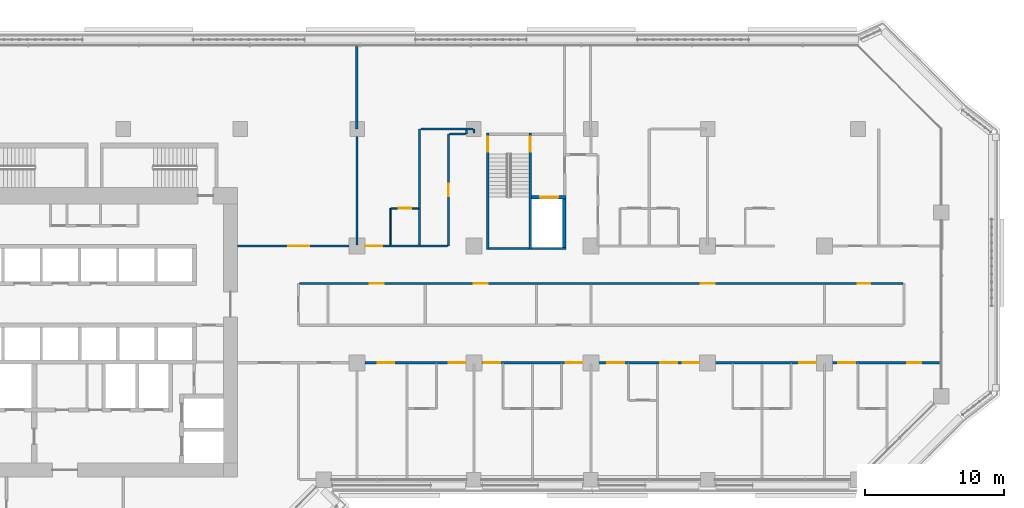
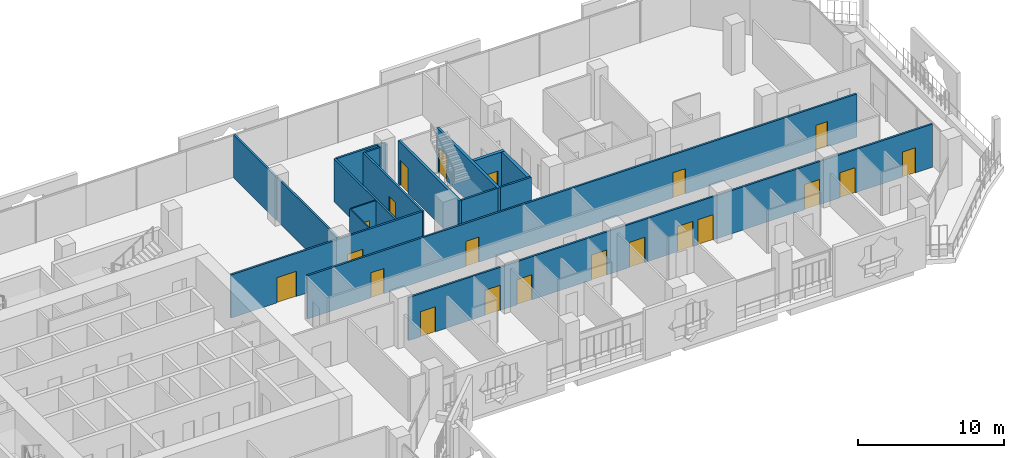
# One storey, part 16 of 25: 21 doors, 19 walls, 21 openings.
"""IFC4 building model written with IfcOpenShell, lengths in metres."""

import ifcopenshell
import ifcopenshell.guid

model = None  # the IFC model being written
_history = None  # IfcOwnerHistory: only IFC2X3 demands one
_inside = {}  # id of a spatial element -> (the spatial element, [elements in it])
_under = {}  # id of a project, library or spatial element -> (it, [spatial elements below it])
_declared = {}  # id of a project -> (the project, [libraries it declares])
_typed = {}  # id of a type object -> (the type object, [elements of that type])
_made_of = {}  # id of a material, layer set ... -> (it, [elements and type objects made of it])


def new_model(schema):
    """Start an empty IFC model of exactly this schema.

    Asked for "IFC4X3", IfcOpenShell would pick the latest addendum, in which some entities
    have other attributes; the version numbers below select the first issue.
    IFC2X3 requires an IfcOwnerHistory on every rooted entity: one is made here for all.
    """
    global model, _history
    if schema == "IFC4X3":
        model = ifcopenshell.file(schema_version=(4, 3, 0, 0))
    else:
        model = ifcopenshell.file(schema=schema)
    _inside.clear()
    _under.clear()
    _declared.clear()
    _typed.clear()
    _made_of.clear()
    _history = None
    if model.schema == "IFC2X3":
        org = make("IfcOrganization", Name="unknown")
        user = make(
            "IfcPersonAndOrganization",
            ThePerson=make("IfcPerson", FamilyName="unknown"),
            TheOrganization=org,
        )
        app = make(
            "IfcApplication",
            ApplicationDeveloper=org,
            Version="unknown",
            ApplicationFullName="unknown",
            ApplicationIdentifier="unknown",
        )
        _history = make(
            "IfcOwnerHistory",
            OwningUser=user,
            OwningApplication=app,
            ChangeAction="ADDED",
            CreationDate=0,
        )
    return model


def make(cls, **values):
    """One entity of the class cls with the attributes given. An attribute that is None is left unset."""
    return model.create_entity(
        cls, **{name: value for name, value in values.items() if value is not None}
    )


def rooted(cls, **values):
    """An entity with a GlobalId (a new one), such as an element, a storey or a relation."""
    return make(cls, GlobalId=ifcopenshell.guid.new(), OwnerHistory=_history, **values)


def si_unit(unit_type, name, prefix=None):
    """IfcSIUnit, for example si_unit("LENGTHUNIT", "METRE", prefix="MILLI")."""
    return make("IfcSIUnit", UnitType=unit_type, Prefix=prefix, Name=name)


def assignment(units):
    """IfcUnitAssignment: the units of a project."""
    return None if units is None else make("IfcUnitAssignment", Units=units)


def point(xyz):
    """IfcCartesianPoint."""
    return None if xyz is None else make("IfcCartesianPoint", Coordinates=xyz)


def direction(xyz):
    """IfcDirection."""
    return None if xyz is None else make("IfcDirection", DirectionRatios=xyz)


def frame(location, z_axis=None, x_axis=None):
    """IfcAxis2Placement3D, a coordinate frame: its origin and axes. An axis left out is left unset."""
    return make(
        "IfcAxis2Placement3D",
        Location=point(location),
        Axis=direction(z_axis),
        RefDirection=direction(x_axis),
    )


def frame_2d(location, x_axis=None):
    """IfcAxis2Placement2D, a coordinate frame in the plane: its origin and x axis."""
    return make(
        "IfcAxis2Placement2D", Location=point(location), RefDirection=direction(x_axis)
    )


def origin():
    """The frame at (0, 0, 0) with its axes left unset."""
    return frame((0.0, 0.0, 0.0))


def place(relative_to, where):
    """IfcLocalPlacement: puts the frame where relative to a parent placement (None: the world)."""
    return make(
        "IfcLocalPlacement", PlacementRelTo=relative_to, RelativePlacement=where
    )


def context(
    kind, dimensions, precision=None, world=None, true_north=None, identifier=None
):
    """IfcGeometricRepresentationContext, for example the 3D "Model" context."""
    return make(
        "IfcGeometricRepresentationContext",
        ContextIdentifier=identifier,
        ContextType=kind,
        CoordinateSpaceDimension=dimensions,
        Precision=precision,
        WorldCoordinateSystem=world,
        TrueNorth=true_north,
    )


def subcontext(parent, identifier, kind, view, scale=None):
    """IfcGeometricRepresentationSubContext, for example "Body" below "Model"."""
    return make(
        "IfcGeometricRepresentationSubContext",
        ContextIdentifier=identifier,
        ContextType=kind,
        ParentContext=parent,
        TargetScale=scale,
        TargetView=view,
    )


def project(units=None, contexts=None):
    """IfcProject with its units and contexts."""
    return rooted(
        "IfcProject",
        Name="project",
        RepresentationContexts=contexts,
        UnitsInContext=assignment(units),
    )


def spatial(cls, under=None, at=None, **own):
    """A site, building, storey or space (cls), placed at a placement, below another one or the project."""
    s = rooted(cls, ObjectPlacement=at, **own)
    if under is not None:
        _under.setdefault(under.id(), (under, []))[1].append(s)
    return s


def profile(cls, at=None, kind="AREA", **sizes):
    """A parametric profile (cls). Its sizes go by their IFC names, for example OverallWidth=200.0."""
    return make(cls, ProfileType=kind, Position=at, **sizes)


def rectangle(**sizes):
    """IfcRectangleProfileDef."""
    return profile("IfcRectangleProfileDef", **sizes)


def extrude(swept, where, along, depth):
    """IfcExtrudedAreaSolid: the profile swept, set in the frame where, extruded along a direction by depth."""
    return make(
        "IfcExtrudedAreaSolid",
        SweptArea=swept,
        Position=where,
        ExtrudedDirection=direction(along),
        Depth=depth,
    )


def shape(context_of_items, identifier, shape_type, items):
    """IfcShapeRepresentation: the items that make up one representation, for example the "Body"."""
    return make(
        "IfcShapeRepresentation",
        ContextOfItems=context_of_items,
        RepresentationIdentifier=identifier,
        RepresentationType=shape_type,
        Items=items,
    )


def material(Name=None, Category=None):
    """IfcMaterial."""
    return make("IfcMaterial", Name=Name, Category=Category)


def layer(
    of_material, thickness, ventilated=None, Name=None, Category=None, Priority=None
):
    """IfcMaterialLayer: one layer of a wall or slab, of a material (None: an air gap)."""
    return make(
        "IfcMaterialLayer",
        Material=of_material,
        LayerThickness=thickness,
        IsVentilated=ventilated,
        Name=Name,
        Category=Category,
        Priority=Priority,
    )


def layer_set(layers, Name=None):
    """IfcMaterialLayerSet."""
    return make("IfcMaterialLayerSet", MaterialLayers=layers, LayerSetName=Name)


def made_of(thing, what):
    """Note that an element or type object is made of a material, layer set ...; save() writes the relation."""
    if what is not None:
        _made_of.setdefault(what.id(), (what, []))[1].append(thing)
    return thing


def type_object(cls, material=None, **own):
    """A type object (cls), such as IfcWallType, which elements share."""
    return made_of(rooted(cls, **own), material)


def element(
    cls,
    number,
    at=None,
    inside=None,
    cuts=None,
    type_object=None,
    material=None,
    context=None,
    identifier="Body",
    shape_type=None,
    held_by="IfcProductDefinitionShape",
    body=None,
    shapes=None,
    **own,
):
    """One element of the class cls, such as IfcWall. Its Tag is "e" and its number.

    at: its placement. inside: the storey or other place that contains it. cuts: it is an
    opening in that element (IfcRelVoidsElement). A single representation is given by context,
    identifier, shape_type and body (its items); several are given by shapes. held_by: the class
    of the entity that holds the representations. save() writes the other relations.
    """
    e = rooted(cls, Tag="e%d" % number, ObjectPlacement=at, **own)
    if body is not None:
        shapes = [shape(context, identifier, shape_type, body)]
    if shapes is not None:
        e.Representation = make(held_by, Representations=shapes)
    if inside is not None:
        _inside.setdefault(inside.id(), (inside, []))[1].append(e)
    if cuts is not None:
        rooted(
            "IfcRelVoidsElement", RelatingBuildingElement=cuts, RelatedOpeningElement=e
        )
    if type_object is not None:
        _typed.setdefault(type_object.id(), (type_object, []))[1].append(e)
    return made_of(e, material)


def fill(opening, filler):
    """IfcRelFillsElement: the door or window that sits in an opening."""
    return rooted(
        "IfcRelFillsElement",
        RelatingOpeningElement=opening,
        RelatedBuildingElement=filler,
    )


def aggregate(whole, parts):
    """IfcRelAggregates: a whole, such as a stair, and the parts it consists of."""
    return rooted("IfcRelAggregates", RelatingObject=whole, RelatedObjects=parts)


def save(model, path):
    """Write the relations noted so far, then the file.

    IfcRelAggregates (storeys below a building ...), IfcRelContainedInSpatialStructure (elements
    in a storey), IfcRelDefinesByType, IfcRelAssociatesMaterial and IfcRelDeclares: one each for
    every whole, place, type object, material and project.
    """
    for whole, parts in _under.values():
        aggregate(whole, parts)
    for where, things in _inside.values():
        rooted(
            "IfcRelContainedInSpatialStructure",
            RelatedElements=things,
            RelatingStructure=where,
        )
    for kind, things in _typed.values():
        rooted("IfcRelDefinesByType", RelatedObjects=things, RelatingType=kind)
    for what, things in _made_of.values():
        rooted("IfcRelAssociatesMaterial", RelatedObjects=things, RelatingMaterial=what)
    for by, libraries in _declared.values():
        rooted("IfcRelDeclares", RelatingContext=by, RelatedDefinitions=libraries)
    model.write(path)


model = new_model("IFC4")

# Units and contexts
model_context = context("Model", 3, precision=1e-05, world=origin(), true_north=direction((0.0, 1.0)))
body_context = subcontext(model_context, "Body", "Model", "MODEL_VIEW")
ifc_project = project(units=[si_unit("LENGTHUNIT", "METRE"), si_unit("AREAUNIT", "SQUARE_METRE"), si_unit("VOLUMEUNIT", "CUBIC_METRE"), si_unit("PLANEANGLEUNIT", "RADIAN"), si_unit("MASSUNIT", "GRAM", prefix="KILO")], contexts=[model_context])

# Site, building, storey
site_placement = place(None, origin())
site = spatial("IfcSite", under=ifc_project, at=site_placement, CompositionType="ELEMENT")
building_placement = place(site_placement, origin())
building = spatial("IfcBuilding", under=site, at=building_placement, Name="Kawkab Arch Medical Tower", CompositionType="ELEMENT")
storey_placement = place(building_placement, frame((0.0, 0.0, 136.60009765625)))
storey = spatial("IfcBuildingStorey", under=building, at=storey_placement, Name="L31", CompositionType="ELEMENT", Elevation=136.60009765625)

# Wall, opening, door
ifc_material_1 = material(Name="Concrete C60/75", Category="concrete")
ifc_layer_1 = layer(ifc_material_1, 0.25)
ifc_layer_set_1 = layer_set([ifc_layer_1], Name="Concrete C60/75")
wall_type_1 = type_object("IfcWallType", Name="Core shear wall 250 C60/75", PredefinedType="SHEAR", material=ifc_layer_set_1)
wall_1_placement = place(storey_placement, frame((46.14990234375, -4.89990234375, 0.0), z_axis=(0.0, 0.0, 1.0), x_axis=(1.0, 0.0, 0.0)))
wall_1 = element("IfcWall", 1, at=wall_1_placement, inside=storey, type_object=wall_type_1, Name="L31 core shear wall", PredefinedType="SHEAR", context=body_context, shape_type="SweptSolid", body=[
    extrude(rectangle(XDim=2.4501953125, YDim=0.25, at=frame_2d((1.22509765625, 0.0))), origin(), (0.0, 0.0, 1.0), 3.599853515625),
])
opening_1_placement = place(wall_1_placement, frame((0.60009765625, 0.0, 0.0)))
opening_1 = element("IfcOpeningElement", 2, at=opening_1_placement, cuts=wall_1, Name="Opening LD2", PredefinedType="OPENING", context=body_context, shape_type="SweptSolid", body=[
    extrude(rectangle(XDim=1.300048828125, YDim=2.10009765625, at=frame_2d((0.64990234375, 1.050048828125))), frame((0.0, 0.135009765625, 0.0), z_axis=(0.0, -1.0, 0.0), x_axis=(1.0, 0.0, 0.0)), (0.0, 0.0, 1.0), 0.27001953125),
])
ifc_material_2 = material(Name="Stainless steel lift door leaf", Category="steel")
door_type_1 = type_object("IfcDoorType", Name="Lift landing door 1300", OperationType="DOUBLE_DOOR_SLIDING", PredefinedType="DOOR", material=ifc_material_2)
door_1_placement = place(opening_1_placement, origin())
door_1 = element("IfcDoor", 3, at=door_1_placement, inside=storey, type_object=door_type_1, Name="L31 Lift landing door SV1", OperationType="DOUBLE_DOOR_SLIDING", OverallHeight=2.10009765625, OverallWidth=1.300048828125, PredefinedType="DOOR", context=body_context, shape_type="SweptSolid", body=[
    extrude(rectangle(XDim=1.300048828125, YDim=2.10009765625, at=frame_2d((0.64990234375, 1.050048828125))), frame((0.0, 0.02490234375, 0.0), z_axis=(0.0, -1.0, 0.0), x_axis=(1.0, 0.0, 0.0)), (0.0, 0.0, 1.0), 0.050048828125),
])
fill(opening_1, door_1)

# Wall
wall_2_placement = place(storey_placement, frame((48.47509765625, -8.5, 0.0), z_axis=(0.0, 0.0, 1.0), x_axis=(0.0, 1.0, 0.0)))
element("IfcWall", 4, at=wall_2_placement, inside=storey, type_object=wall_type_1, Name="L31 core shear wall", PredefinedType="SHEAR", context=body_context, shape_type="SweptSolid", body=[
    extrude(rectangle(XDim=3.47509765625, YDim=0.25, at=frame_2d((1.737548828125, 0.0))), origin(), (0.0, 0.0, 1.0), 3.599853515625),
])

# Wall, opening, door
ifc_material_3 = material(Name="Gypsum board partition on steel studs", Category="steel")
ifc_layer_2 = layer(ifc_material_3, 0.10009765625)
ifc_layer_set_2 = layer_set([ifc_layer_2], Name="Gypsum board partition on steel studs")
wall_type_2 = type_object("IfcWallType", Name="Partition 100", PredefinedType="PARTITIONING", material=ifc_layer_set_2)
wall_3_placement = place(storey_placement, frame((36.052001953125, -5.699951171875, 0.0), z_axis=(0.0, 0.0, 1.0), x_axis=(1.0, 0.0, 0.0)))
wall_3 = element("IfcWall", 5, at=wall_3_placement, inside=storey, type_object=wall_type_2, Name="Partition 100 w010", PredefinedType="PARTITIONING", context=body_context, shape_type="SweptSolid", body=[
    extrude(rectangle(XDim=1.972900390625, YDim=0.10009765625, at=frame_2d((0.986328125, 0.0))), origin(), (0.0, 0.0, 1.0), 3.599853515625),
])
opening_2_placement = place(wall_3_placement, frame((0.549072265625, 0.0, 0.0)))
opening_2 = element("IfcOpeningElement", 6, at=opening_2_placement, cuts=wall_3, Name="Opening W26-005", PredefinedType="OPENING", context=body_context, shape_type="SweptSolid", body=[
    extrude(rectangle(XDim=0.89990234375, YDim=2.10009765625, at=frame_2d((0.449951171875, 1.050048828125))), frame((0.0, 0.06005859375, 0.0), z_axis=(0.0, -1.0, 0.0), x_axis=(1.0, 0.0, 0.0)), (0.0, 0.0, 1.0), 0.1201171875),
])
ifc_material_4 = material(Name="Timber door leaf", Category="wood")
door_type_2 = type_object("IfcDoorType", Name="Single door 900x2100", OperationType="NOTDEFINED", PredefinedType="DOOR", material=ifc_material_4)
door_2_placement = place(opening_2_placement, origin())
door_2 = element("IfcDoor", 7, at=door_2_placement, inside=storey, type_object=door_type_2, Name="Door W26-005", OperationType="SINGLE_SWING_RIGHT", OverallHeight=2.10009765625, OverallWidth=0.89990234375, PredefinedType="DOOR", context=body_context, shape_type="SweptSolid", body=[
    extrude(rectangle(XDim=0.89990234375, YDim=2.10009765625, at=frame_2d((0.449951171875, 1.050048828125))), frame((0.0, 0.02490234375, 0.0), z_axis=(0.0, -1.0, 0.0), x_axis=(1.0, 0.0, 0.0)), (0.0, 0.0, 1.0), 0.050048828125),
])
fill(opening_2, door_2)

# Wall
wall_4_placement = place(storey_placement, frame((36.0, -8.324951171875, 0.0), z_axis=(0.0, 0.0, 1.0), x_axis=(0.0, 1.0, 0.0)))
element("IfcWall", 8, at=wall_4_placement, inside=storey, type_object=wall_type_2, Name="Partition 100 w016", PredefinedType="PARTITIONING", context=body_context, shape_type="SweptSolid", body=[
    extrude(rectangle(XDim=2.6240234375, YDim=0.10009765625, at=frame_2d((1.31201171875, 0.0))), origin(), (0.0, 0.0, 1.0), 3.599853515625),
])

# Wall, openings, doors
ifc_material_5 = material(Name="Gypsum board partition on steel studs, mineral wool", Category="steel")
ifc_layer_3 = layer(ifc_material_5, 0.14990234375)
ifc_layer_set_3 = layer_set([ifc_layer_3], Name="Gypsum board partition on steel studs, mineral wool")
wall_type_3 = type_object("IfcWallType", Name="Partition 150", PredefinedType="PARTITIONING", material=ifc_layer_set_3)
wall_5_placement = place(storey_placement, frame((34.175048828125, -16.800048828125, 0.0), z_axis=(0.0, 0.0, 1.0), x_axis=(1.0, 0.0, 0.0)))
wall_5 = element("IfcWall", 9, at=wall_5_placement, inside=storey, type_object=wall_type_3, Name="Partition 150 w045", PredefinedType="PARTITIONING", context=body_context, shape_type="SweptSolid", body=[
    extrude(rectangle(XDim=41.344970703125, YDim=0.14990234375, at=frame_2d((20.67236328125, 0.0))), origin(), (0.0, 0.0, 1.0), 3.599853515625),
])
opening_3_placement = place(wall_5_placement, frame((0.9130859375, 0.0, 0.0)))
opening_3 = element("IfcOpeningElement", 10, at=opening_3_placement, cuts=wall_5, Name="Opening W26-043", PredefinedType="OPENING", context=body_context, shape_type="SweptSolid", body=[
    extrude(rectangle(XDim=1.199951171875, YDim=2.10009765625, at=frame_2d((0.60009765625, 1.050048828125))), frame((0.0, 0.0849609375, 0.0), z_axis=(0.0, -1.0, 0.0), x_axis=(1.0, 0.0, 0.0)), (0.0, 0.0, 1.0), 0.169921875),
])
opening_4_placement = place(wall_5_placement, frame((6.02490234375, 0.0, 0.0)))
opening_4 = element("IfcOpeningElement", 11, at=opening_4_placement, cuts=wall_5, Name="Opening W26-044", PredefinedType="OPENING", context=body_context, shape_type="SweptSolid", body=[
    extrude(rectangle(XDim=1.199951171875, YDim=2.10009765625, at=frame_2d((0.60009765625, 1.050048828125))), frame((0.0, 0.0849609375, 0.0), z_axis=(0.0, -1.0, 0.0), x_axis=(1.0, 0.0, 0.0)), (0.0, 0.0, 1.0), 0.169921875),
])
opening_5_placement = place(wall_5_placement, frame((8.52490234375, 0.0, 0.0)))
opening_5 = element("IfcOpeningElement", 12, at=opening_5_placement, cuts=wall_5, Name="Opening W26-045", PredefinedType="OPENING", context=body_context, shape_type="SweptSolid", body=[
    extrude(rectangle(XDim=1.199951171875, YDim=2.10009765625, at=frame_2d((0.60009765625, 1.050048828125))), frame((0.0, 0.0849609375, 0.0), z_axis=(0.0, -1.0, 0.0), x_axis=(1.0, 0.0, 0.0)), (0.0, 0.0, 1.0), 0.169921875),
])
opening_6_placement = place(wall_5_placement, frame((14.425048828125, 0.0, 0.0)))
opening_6 = element("IfcOpeningElement", 13, at=opening_6_placement, cuts=wall_5, Name="Opening W26-046", PredefinedType="OPENING", context=body_context, shape_type="SweptSolid", body=[
    extrude(rectangle(XDim=1.199951171875, YDim=2.10009765625, at=frame_2d((0.60009765625, 1.050048828125))), frame((0.0, 0.0849609375, 0.0), z_axis=(0.0, -1.0, 0.0), x_axis=(1.0, 0.0, 0.0)), (0.0, 0.0, 1.0), 0.169921875),
])
opening_7_placement = place(wall_5_placement, frame((17.425048828125, 0.0, 0.0)))
opening_7 = element("IfcOpeningElement", 14, at=opening_7_placement, cuts=wall_5, Name="Opening W26-047", PredefinedType="OPENING", context=body_context, shape_type="SweptSolid", body=[
    extrude(rectangle(XDim=1.199951171875, YDim=2.10009765625, at=frame_2d((0.60009765625, 1.050048828125))), frame((0.0, 0.0849609375, 0.0), z_axis=(0.0, -1.0, 0.0), x_axis=(1.0, 0.0, 0.0)), (0.0, 0.0, 1.0), 0.169921875),
])
opening_8_placement = place(wall_5_placement, frame((22.824951171875, 0.0, 0.0)))
opening_8 = element("IfcOpeningElement", 15, at=opening_8_placement, cuts=wall_5, Name="Opening W26-048", PredefinedType="OPENING", context=body_context, shape_type="SweptSolid", body=[
    extrude(rectangle(XDim=1.199951171875, YDim=2.10009765625, at=frame_2d((0.60009765625, 1.050048828125))), frame((0.0, 0.0849609375, 0.0), z_axis=(0.0, -1.0, 0.0), x_axis=(1.0, 0.0, 0.0)), (0.0, 0.0, 1.0), 0.169921875),
])
opening_9_placement = place(wall_5_placement, frame((21.22509765625, 0.0, 0.0)))
opening_9 = element("IfcOpeningElement", 16, at=opening_9_placement, cuts=wall_5, Name="Opening W26-049", PredefinedType="OPENING", context=body_context, shape_type="SweptSolid", body=[
    extrude(rectangle(XDim=1.199951171875, YDim=2.10009765625, at=frame_2d((0.60009765625, 1.050048828125))), frame((0.0, 0.0849609375, 0.0), z_axis=(0.0, -1.0, 0.0), x_axis=(1.0, 0.0, 0.0)), (0.0, 0.0, 1.0), 0.169921875),
])
opening_10_placement = place(wall_5_placement, frame((31.22509765625, 0.0, 0.0)))
opening_10 = element("IfcOpeningElement", 17, at=opening_10_placement, cuts=wall_5, Name="Opening W26-050", PredefinedType="OPENING", context=body_context, shape_type="SweptSolid", body=[
    extrude(rectangle(XDim=1.199951171875, YDim=2.10009765625, at=frame_2d((0.60009765625, 1.050048828125))), frame((0.0, 0.0849609375, 0.0), z_axis=(0.0, -1.0, 0.0), x_axis=(1.0, 0.0, 0.0)), (0.0, 0.0, 1.0), 0.169921875),
])
opening_11_placement = place(wall_5_placement, frame((34.02490234375, 0.0, 0.0)))
opening_11 = element("IfcOpeningElement", 18, at=opening_11_placement, cuts=wall_5, Name="Opening W26-051", PredefinedType="OPENING", context=body_context, shape_type="SweptSolid", body=[
    extrude(rectangle(XDim=1.199951171875, YDim=2.10009765625, at=frame_2d((0.60009765625, 1.050048828125))), frame((0.0, 0.0849609375, 0.0), z_axis=(0.0, -1.0, 0.0), x_axis=(1.0, 0.0, 0.0)), (0.0, 0.0, 1.0), 0.169921875),
])
opening_12_placement = place(wall_5_placement, frame((38.97509765625, 0.0, 0.0)))
opening_12 = element("IfcOpeningElement", 19, at=opening_12_placement, cuts=wall_5, Name="Opening W26-030", PredefinedType="OPENING", context=body_context, shape_type="SweptSolid", body=[
    extrude(rectangle(XDim=1.0, YDim=2.10009765625, at=frame_2d((0.5, 1.050048828125))), frame((0.0, 0.0849609375, 0.0), z_axis=(0.0, -1.0, 0.0), x_axis=(1.0, 0.0, 0.0)), (0.0, 0.0, 1.0), 0.169921875),
])
ifc_material_6 = material(Name="Hollow metal door leaf")
door_type_3 = type_object("IfcDoorType", Name="Single door 1000x2100 FD30S", OperationType="NOTDEFINED", PredefinedType="DOOR", material=ifc_material_6)
door_3_placement = place(opening_12_placement, origin())
door_3 = element("IfcDoor", 20, at=door_3_placement, inside=storey, type_object=door_type_3, Name="Door W26-030", OperationType="SINGLE_SWING_LEFT", OverallHeight=2.10009765625, OverallWidth=1.0, PredefinedType="DOOR", context=body_context, shape_type="SweptSolid", body=[
    extrude(rectangle(XDim=1.0, YDim=2.10009765625, at=frame_2d((0.5, 1.050048828125))), frame((0.0, 0.02490234375, 0.0), z_axis=(0.0, -1.0, 0.0), x_axis=(1.0, 0.0, 0.0)), (0.0, 0.0, 1.0), 0.050048828125),
])
fill(opening_12, door_3)
ifc_material_7 = material(Name="Hollow metal door leaf")
door_type_4 = type_object("IfcDoorType", Name="Single door 1200x2100 FD30S", OperationType="NOTDEFINED", PredefinedType="DOOR", material=ifc_material_7)
door_4_placement = place(opening_3_placement, origin())
door_4 = element("IfcDoor", 21, at=door_4_placement, inside=storey, type_object=door_type_4, Name="Door W26-043", OperationType="SINGLE_SWING_RIGHT", OverallHeight=2.10009765625, OverallWidth=1.199951171875, PredefinedType="DOOR", context=body_context, shape_type="SweptSolid", body=[
    extrude(rectangle(XDim=1.199951171875, YDim=2.10009765625, at=frame_2d((0.60009765625, 1.050048828125))), frame((0.0, 0.02490234375, 0.0), z_axis=(0.0, -1.0, 0.0), x_axis=(1.0, 0.0, 0.0)), (0.0, 0.0, 1.0), 0.050048828125),
])
fill(opening_3, door_4)
door_5_placement = place(opening_4_placement, origin())
door_5 = element("IfcDoor", 22, at=door_5_placement, inside=storey, type_object=door_type_4, Name="Door W26-044", OperationType="SINGLE_SWING_RIGHT", OverallHeight=2.10009765625, OverallWidth=1.199951171875, PredefinedType="DOOR", context=body_context, shape_type="SweptSolid", body=[
    extrude(rectangle(XDim=1.199951171875, YDim=2.10009765625, at=frame_2d((0.60009765625, 1.050048828125))), frame((0.0, 0.02490234375, 0.0), z_axis=(0.0, -1.0, 0.0), x_axis=(1.0, 0.0, 0.0)), (0.0, 0.0, 1.0), 0.050048828125),
])
fill(opening_4, door_5)
door_6_placement = place(opening_5_placement, origin())
door_6 = element("IfcDoor", 23, at=door_6_placement, inside=storey, type_object=door_type_4, Name="Door W26-045", OperationType="SINGLE_SWING_RIGHT", OverallHeight=2.10009765625, OverallWidth=1.199951171875, PredefinedType="DOOR", context=body_context, shape_type="SweptSolid", body=[
    extrude(rectangle(XDim=1.199951171875, YDim=2.10009765625, at=frame_2d((0.60009765625, 1.050048828125))), frame((0.0, 0.02490234375, 0.0), z_axis=(0.0, -1.0, 0.0), x_axis=(1.0, 0.0, 0.0)), (0.0, 0.0, 1.0), 0.050048828125),
])
fill(opening_5, door_6)
door_7_placement = place(opening_6_placement, origin())
door_7 = element("IfcDoor", 24, at=door_7_placement, inside=storey, type_object=door_type_4, Name="Door W26-046", OperationType="SINGLE_SWING_RIGHT", OverallHeight=2.10009765625, OverallWidth=1.199951171875, PredefinedType="DOOR", context=body_context, shape_type="SweptSolid", body=[
    extrude(rectangle(XDim=1.199951171875, YDim=2.10009765625, at=frame_2d((0.60009765625, 1.050048828125))), frame((0.0, 0.02490234375, 0.0), z_axis=(0.0, -1.0, 0.0), x_axis=(1.0, 0.0, 0.0)), (0.0, 0.0, 1.0), 0.050048828125),
])
fill(opening_6, door_7)
door_8_placement = place(opening_7_placement, origin())
door_8 = element("IfcDoor", 25, at=door_8_placement, inside=storey, type_object=door_type_4, Name="Door W26-047", OperationType="SINGLE_SWING_RIGHT", OverallHeight=2.10009765625, OverallWidth=1.199951171875, PredefinedType="DOOR", context=body_context, shape_type="SweptSolid", body=[
    extrude(rectangle(XDim=1.199951171875, YDim=2.10009765625, at=frame_2d((0.60009765625, 1.050048828125))), frame((0.0, 0.02490234375, 0.0), z_axis=(0.0, -1.0, 0.0), x_axis=(1.0, 0.0, 0.0)), (0.0, 0.0, 1.0), 0.050048828125),
])
fill(opening_7, door_8)
door_9_placement = place(opening_8_placement, origin())
door_9 = element("IfcDoor", 26, at=door_9_placement, inside=storey, type_object=door_type_4, Name="Door W26-048", OperationType="SINGLE_SWING_LEFT", OverallHeight=2.10009765625, OverallWidth=1.199951171875, PredefinedType="DOOR", context=body_context, shape_type="SweptSolid", body=[
    extrude(rectangle(XDim=1.199951171875, YDim=2.10009765625, at=frame_2d((0.60009765625, 1.050048828125))), frame((0.0, 0.02490234375, 0.0), z_axis=(0.0, -1.0, 0.0), x_axis=(1.0, 0.0, 0.0)), (0.0, 0.0, 1.0), 0.050048828125),
])
fill(opening_8, door_9)
door_10_placement = place(opening_9_placement, origin())
door_10 = element("IfcDoor", 27, at=door_10_placement, inside=storey, type_object=door_type_4, Name="Door W26-049", OperationType="SINGLE_SWING_LEFT", OverallHeight=2.10009765625, OverallWidth=1.199951171875, PredefinedType="DOOR", context=body_context, shape_type="SweptSolid", body=[
    extrude(rectangle(XDim=1.199951171875, YDim=2.10009765625, at=frame_2d((0.60009765625, 1.050048828125))), frame((0.0, 0.02490234375, 0.0), z_axis=(0.0, -1.0, 0.0), x_axis=(1.0, 0.0, 0.0)), (0.0, 0.0, 1.0), 0.050048828125),
])
fill(opening_9, door_10)
door_11_placement = place(opening_10_placement, origin())
door_11 = element("IfcDoor", 28, at=door_11_placement, inside=storey, type_object=door_type_4, Name="Door W26-050", OperationType="SINGLE_SWING_LEFT", OverallHeight=2.10009765625, OverallWidth=1.199951171875, PredefinedType="DOOR", context=body_context, shape_type="SweptSolid", body=[
    extrude(rectangle(XDim=1.199951171875, YDim=2.10009765625, at=frame_2d((0.60009765625, 1.050048828125))), frame((0.0, 0.02490234375, 0.0), z_axis=(0.0, -1.0, 0.0), x_axis=(1.0, 0.0, 0.0)), (0.0, 0.0, 1.0), 0.050048828125),
])
fill(opening_10, door_11)
door_12_placement = place(opening_11_placement, origin())
door_12 = element("IfcDoor", 29, at=door_12_placement, inside=storey, type_object=door_type_4, Name="Door W26-051", OperationType="SINGLE_SWING_LEFT", OverallHeight=2.10009765625, OverallWidth=1.199951171875, PredefinedType="DOOR", context=body_context, shape_type="SweptSolid", body=[
    extrude(rectangle(XDim=1.199951171875, YDim=2.10009765625, at=frame_2d((0.60009765625, 1.050048828125))), frame((0.0, 0.02490234375, 0.0), z_axis=(0.0, -1.0, 0.0), x_axis=(1.0, 0.0, 0.0)), (0.0, 0.0, 1.0), 0.050048828125),
])
fill(opening_11, door_12)

wall_6_placement = place(storey_placement, frame((29.47509765625, -11.10009765625, 0.0), z_axis=(0.0, 0.0, 1.0), x_axis=(1.0, 0.0, 0.0)))
wall_6 = element("IfcWall", 30, at=wall_6_placement, inside=storey, type_object=wall_type_3, Name="Partition 150 w047", PredefinedType="PARTITIONING", context=body_context, shape_type="SweptSolid", body=[
    extrude(rectangle(XDim=43.349853515625, YDim=0.14990234375, at=frame_2d((21.6748046875, 0.0))), origin(), (0.0, 0.0, 1.0), 3.599853515625),
])
opening_13_placement = place(wall_6_placement, frame((28.824951171875, 0.0, 0.0)))
opening_13 = element("IfcOpeningElement", 31, at=opening_13_placement, cuts=wall_6, Name="Opening W26-029", PredefinedType="OPENING", context=body_context, shape_type="SweptSolid", body=[
    extrude(rectangle(XDim=1.0, YDim=2.10009765625, at=frame_2d((0.5, 1.050048828125))), frame((0.0, 0.0849609375, 0.0), z_axis=(0.0, -1.0, 0.0), x_axis=(1.0, 0.0, 0.0)), (0.0, 0.0, 1.0), 0.169921875),
])
opening_14_placement = place(wall_6_placement, frame((40.125, 0.0, 0.0)))
opening_14 = element("IfcOpeningElement", 32, at=opening_14_placement, cuts=wall_6, Name="Opening W26-011", PredefinedType="OPENING", context=body_context, shape_type="SweptSolid", body=[
    extrude(rectangle(XDim=0.89990234375, YDim=2.10009765625, at=frame_2d((0.449951171875, 1.050048828125))), frame((0.0, 0.0849609375, 0.0), z_axis=(0.0, -1.0, 0.0), x_axis=(1.0, 0.0, 0.0)), (0.0, 0.0, 1.0), 0.169921875),
])
opening_15_placement = place(wall_6_placement, frame((5.02490234375, 0.0, 0.0)))
opening_15 = element("IfcOpeningElement", 33, at=opening_15_placement, cuts=wall_6, Name="Opening W26-036", PredefinedType="OPENING", context=body_context, shape_type="SweptSolid", body=[
    extrude(rectangle(XDim=1.0, YDim=2.10009765625, at=frame_2d((0.5, 1.050048828125))), frame((0.0, 0.0849609375, 0.0), z_axis=(0.0, -1.0, 0.0), x_axis=(1.0, 0.0, 0.0)), (0.0, 0.0, 1.0), 0.169921875),
])
opening_16_placement = place(wall_6_placement, frame((12.52490234375, 0.0, 0.0)))
opening_16 = element("IfcOpeningElement", 34, at=opening_16_placement, cuts=wall_6, Name="Opening W26-037", PredefinedType="OPENING", context=body_context, shape_type="SweptSolid", body=[
    extrude(rectangle(XDim=1.0, YDim=2.10009765625, at=frame_2d((0.5, 1.050048828125))), frame((0.0, 0.0849609375, 0.0), z_axis=(0.0, -1.0, 0.0), x_axis=(1.0, 0.0, 0.0)), (0.0, 0.0, 1.0), 0.169921875),
])
door_13_placement = place(opening_13_placement, origin())
door_13 = element("IfcDoor", 35, at=door_13_placement, inside=storey, type_object=door_type_3, Name="Door W26-029", OperationType="SINGLE_SWING_LEFT", OverallHeight=2.10009765625, OverallWidth=1.0, PredefinedType="DOOR", context=body_context, shape_type="SweptSolid", body=[
    extrude(rectangle(XDim=1.0, YDim=2.10009765625, at=frame_2d((0.5, 1.050048828125))), frame((0.0, 0.02490234375, 0.0), z_axis=(0.0, -1.0, 0.0), x_axis=(1.0, 0.0, 0.0)), (0.0, 0.0, 1.0), 0.050048828125),
])
fill(opening_13, door_13)
door_14_placement = place(opening_15_placement, origin())
door_14 = element("IfcDoor", 36, at=door_14_placement, inside=storey, type_object=door_type_3, Name="Door W26-036", OperationType="SINGLE_SWING_RIGHT", OverallHeight=2.10009765625, OverallWidth=1.0, PredefinedType="DOOR", context=body_context, shape_type="SweptSolid", body=[
    extrude(rectangle(XDim=1.0, YDim=2.10009765625, at=frame_2d((0.5, 1.050048828125))), frame((0.0, 0.02490234375, 0.0), z_axis=(0.0, -1.0, 0.0), x_axis=(1.0, 0.0, 0.0)), (0.0, 0.0, 1.0), 0.050048828125),
])
fill(opening_15, door_14)
door_15_placement = place(opening_16_placement, origin())
door_15 = element("IfcDoor", 37, at=door_15_placement, inside=storey, type_object=door_type_3, Name="Door W26-037", OperationType="SINGLE_SWING_RIGHT", OverallHeight=2.10009765625, OverallWidth=1.0, PredefinedType="DOOR", context=body_context, shape_type="SweptSolid", body=[
    extrude(rectangle(XDim=1.0, YDim=2.10009765625, at=frame_2d((0.5, 1.050048828125))), frame((0.0, 0.02490234375, 0.0), z_axis=(0.0, -1.0, 0.0), x_axis=(1.0, 0.0, 0.0)), (0.0, 0.0, 1.0), 0.050048828125),
])
fill(opening_16, door_15)
door_16_placement = place(opening_14_placement, origin())
door_16 = element("IfcDoor", 38, at=door_16_placement, inside=storey, type_object=door_type_2, Name="Door W26-011", OperationType="SINGLE_SWING_LEFT", OverallHeight=2.10009765625, OverallWidth=0.89990234375, PredefinedType="DOOR", context=body_context, shape_type="SweptSolid", body=[
    extrude(rectangle(XDim=0.89990234375, YDim=2.10009765625, at=frame_2d((0.449951171875, 1.050048828125))), frame((0.0, 0.02490234375, 0.0), z_axis=(0.0, -1.0, 0.0), x_axis=(1.0, 0.0, 0.0)), (0.0, 0.0, 1.0), 0.050048828125),
])
fill(opening_14, door_16)

wall_7_placement = place(storey_placement, frame((25.0, -8.39990234375, 0.0), z_axis=(0.0, 0.0, 1.0), x_axis=(1.0, 0.0, 0.0)))
wall_7 = element("IfcWall", 39, at=wall_7_placement, inside=storey, type_object=wall_type_3, Name="Partition 150 w048", PredefinedType="PARTITIONING", context=body_context, shape_type="SweptSolid", body=[
    extrude(rectangle(XDim=15.10693359375, YDim=0.14990234375, at=frame_2d((7.553466796875, 0.0))), origin(), (0.0, 0.0, 1.0), 3.599853515625),
])
opening_17_placement = place(wall_7_placement, frame((3.64990234375, 0.0, 0.0)))
opening_17 = element("IfcOpeningElement", 40, at=opening_17_placement, cuts=wall_7, Name="Opening W26-002", PredefinedType="OPENING", context=body_context, shape_type="SweptSolid", body=[
    extrude(rectangle(XDim=1.5, YDim=2.10009765625, at=frame_2d((0.75, 1.050048828125))), frame((0.0, 0.0849609375, 0.0), z_axis=(0.0, -1.0, 0.0), x_axis=(1.0, 0.0, 0.0)), (0.0, 0.0, 1.0), 0.169921875),
])
opening_18_placement = place(wall_7_placement, frame((9.199951171875, 0.0, 0.0)))
opening_18 = element("IfcOpeningElement", 41, at=opening_18_placement, cuts=wall_7, Name="Opening W26-038", PredefinedType="OPENING", context=body_context, shape_type="SweptSolid", body=[
    extrude(rectangle(XDim=1.199951171875, YDim=2.10009765625, at=frame_2d((0.60009765625, 1.050048828125))), frame((0.0, 0.0849609375, 0.0), z_axis=(0.0, -1.0, 0.0), x_axis=(1.0, 0.0, 0.0)), (0.0, 0.0, 1.0), 0.169921875),
])
ifc_material_8 = material(Name="Hollow metal door leaf")
door_type_5 = type_object("IfcDoorType", Name="Double door 1500x2100 FD30S", OperationType="NOTDEFINED", PredefinedType="DOOR", material=ifc_material_8)
door_17_placement = place(opening_17_placement, origin())
door_17 = element("IfcDoor", 42, at=door_17_placement, inside=storey, type_object=door_type_5, Name="Door W26-002", OperationType="DOUBLE_DOOR_SINGLE_SWING", OverallHeight=2.10009765625, OverallWidth=1.5, PredefinedType="DOOR", context=body_context, shape_type="SweptSolid", body=[
    extrude(rectangle(XDim=1.5, YDim=2.10009765625, at=frame_2d((0.75, 1.050048828125))), frame((0.0, 0.02490234375, 0.0), z_axis=(0.0, -1.0, 0.0), x_axis=(1.0, 0.0, 0.0)), (0.0, 0.0, 1.0), 0.050048828125),
])
fill(opening_17, door_17)
door_18_placement = place(opening_18_placement, origin())
door_18 = element("IfcDoor", 43, at=door_18_placement, inside=storey, type_object=door_type_4, Name="Door W26-038", OperationType="SINGLE_SWING_RIGHT", OverallHeight=2.10009765625, OverallWidth=1.199951171875, PredefinedType="DOOR", context=body_context, shape_type="SweptSolid", body=[
    extrude(rectangle(XDim=1.199951171875, YDim=2.10009765625, at=frame_2d((0.60009765625, 1.050048828125))), frame((0.0, 0.02490234375, 0.0), z_axis=(0.0, -1.0, 0.0), x_axis=(1.0, 0.0, 0.0)), (0.0, 0.0, 1.0), 0.050048828125),
])
fill(opening_18, door_18)

# Walls
wall_8_placement = place(storey_placement, frame((40.257080078125, -0.35009765625, 0.0), z_axis=(0.0, 0.0, 1.0), x_axis=(1.0, 0.0, 0.0)))
element("IfcWall", 44, at=wall_8_placement, inside=storey, type_object=wall_type_3, Name="Partition 150 w053", PredefinedType="PARTITIONING", context=body_context, shape_type="SweptSolid", body=[
    extrude(rectangle(XDim=1.140869140625, YDim=0.14990234375, at=frame_2d((0.5703125, 0.0))), origin(), (0.0, 0.0, 1.0), 3.599853515625),
])
wall_9_placement = place(storey_placement, frame((38.177978515625, 0.0, 0.0), z_axis=(0.0, 0.0, 1.0), x_axis=(1.0, 0.0, 0.0)))
element("IfcWall", 45, at=wall_9_placement, inside=storey, type_object=wall_type_3, Name="Partition 150 w054", PredefinedType="PARTITIONING", context=body_context, shape_type="SweptSolid", body=[
    extrude(rectangle(XDim=3.744140625, YDim=0.14990234375, at=frame_2d((1.8720703125, 0.0))), origin(), (0.0, 0.0, 1.0), 3.599853515625),
])
wall_10_placement = place(storey_placement, frame((33.580078125, 0.02001953125, 0.0), z_axis=(0.0, 0.0, 1.0), x_axis=(0.0, 1.0, 0.0)))
element("IfcWall", 46, at=wall_10_placement, inside=storey, type_object=wall_type_3, Name="Partition 150 w067", PredefinedType="PARTITIONING", context=body_context, shape_type="SweptSolid", body=[
    extrude(rectangle(XDim=5.89990234375, YDim=0.14990234375, at=frame_2d((2.949951171875, 0.0))), origin(), (0.0, 0.0, 1.0), 3.599853515625),
])
for number, where, z_axis, x_axis, name in (
    (47, (33.60009765625, -8.324951171875, 0.0), (0.0, 0.0, 1.0), (0.0, 1.0, 0.0), "Partition 150 w069"),
    (48, (38.10009765625, -8.324951171875, 0.0), (0.0, 0.0, 1.0), (0.0, 1.0, 0.0), "Partition 150 w071"),
):
    element("IfcWall", number, at=place(storey_placement, frame(where, z_axis=z_axis, x_axis=x_axis)), inside=storey, type_object=wall_type_3, Name=name, PredefinedType="PARTITIONING", context=body_context, shape_type="SweptSolid", body=[
        extrude(rectangle(XDim=8.322021484375, YDim=0.14990234375, at=frame_2d((4.1611328125, 0.0))), origin(), (0.0, 0.0, 1.0), 3.599853515625),
    ])

# Wall, opening, door
wall_11_placement = place(storey_placement, frame((40.181884765625, -8.39990234375, 0.0), z_axis=(0.0, 0.0, 1.0), x_axis=(0.0, 1.0, 0.0)))
wall_11 = element("IfcWall", 49, at=wall_11_placement, inside=storey, type_object=wall_type_3, Name="Partition 150 w073", PredefinedType="PARTITIONING", context=body_context, shape_type="SweptSolid", body=[
    extrude(rectangle(XDim=8.0498046875, YDim=0.14990234375, at=frame_2d((4.02490234375, 0.0))), origin(), (0.0, 0.0, 1.0), 3.599853515625),
])
opening_19_placement = place(wall_11_placement, frame((3.574951171875, 0.0, 0.0)))
opening_19 = element("IfcOpeningElement", 50, at=opening_19_placement, cuts=wall_11, Name="Opening W26-006", PredefinedType="OPENING", context=body_context, shape_type="SweptSolid", body=[
    extrude(rectangle(XDim=0.89990234375, YDim=2.10009765625, at=frame_2d((0.449951171875, 1.050048828125))), frame((0.0, 0.0849609375, 0.0), z_axis=(0.0, -1.0, 0.0), x_axis=(1.0, 0.0, 0.0)), (0.0, 0.0, 1.0), 0.169921875),
])
door_19_placement = place(opening_19_placement, origin())
door_19 = element("IfcDoor", 51, at=door_19_placement, inside=storey, type_object=door_type_2, Name="Door W26-006", OperationType="SINGLE_SWING_LEFT", OverallHeight=2.10009765625, OverallWidth=0.89990234375, PredefinedType="DOOR", context=body_context, shape_type="SweptSolid", body=[
    extrude(rectangle(XDim=0.89990234375, YDim=2.10009765625, at=frame_2d((0.449951171875, 1.050048828125))), frame((0.0, 0.02490234375, 0.0), z_axis=(0.0, -1.0, 0.0), x_axis=(1.0, 0.0, 0.0)), (0.0, 0.0, 1.0), 0.050048828125),
])
fill(opening_19, door_19)

# Walls
wall_12_placement = place(storey_placement, frame((41.47509765625, -0.347900390625, 0.0), z_axis=(0.0, 0.0, 1.0), x_axis=(0.0, 1.0, 0.0)))
element("IfcWall", 52, at=wall_12_placement, inside=storey, type_object=wall_type_3, Name="Partition 150 w074", PredefinedType="PARTITIONING", context=body_context, shape_type="SweptSolid", body=[
    extrude(rectangle(XDim=0.27294921875, YDim=0.14990234375, at=frame_2d((0.136474609375, 0.0))), origin(), (0.0, 0.0, 1.0), 3.599853515625),
])
wall_13_placement = place(storey_placement, frame((42.0, -0.300048828125, 0.0), z_axis=(0.0, 0.0, 1.0), x_axis=(0.0, 1.0, 0.0)))
element("IfcWall", 53, at=wall_13_placement, inside=storey, type_object=wall_type_3, Name="Partition 150 w076", PredefinedType="PARTITIONING", context=body_context, shape_type="SweptSolid", body=[
    extrude(rectangle(XDim=0.297119140625, YDim=0.14990234375, at=frame_2d((0.1484375, 0.0))), origin(), (0.0, 0.0, 1.0), 3.599853515625),
])
ifc_material_9 = material(Name="Concrete C50/60", Category="concrete")
ifc_layer_4 = layer(ifc_material_9, 0.14990234375)
ifc_layer_set_4 = layer_set([ifc_layer_4], Name="Concrete C50/60")
wall_type_4 = type_object("IfcWallType", Name="Stair enclosure wall 150 C50/60", PredefinedType="SHEAR", material=ifc_layer_set_4)
wall_14_placement = place(storey_placement, frame((43.10009765625, -8.574951171875, 0.0), z_axis=(0.0, 0.0, 1.0), x_axis=(1.0, 0.0, 0.0)))
element("IfcWall", 54, at=wall_14_placement, inside=storey, type_object=wall_type_4, Name="L31 stair enclosure wall", PredefinedType="SHEAR", context=body_context, shape_type="SweptSolid", body=[
    extrude(rectangle(XDim=2.849853515625, YDim=0.14990234375, at=frame_2d((1.4248046875, 0.0))), origin(), (0.0, 0.0, 1.0), 3.599853515625),
])
wall_15_placement = place(storey_placement, frame((46.14990234375, -8.574951171875, 0.0), z_axis=(0.0, 0.0, 1.0), x_axis=(1.0, 0.0, 0.0)))
element("IfcWall", 55, at=wall_15_placement, inside=storey, type_object=wall_type_4, Name="L31 stair enclosure wall", PredefinedType="SHEAR", context=body_context, shape_type="SweptSolid", body=[
    extrude(rectangle(XDim=2.4501953125, YDim=0.14990234375, at=frame_2d((1.22509765625, 0.0))), origin(), (0.0, 0.0, 1.0), 3.599853515625),
])

# Wall, opening, door
ifc_material_10 = material(Name="Concrete C50/60", Category="concrete")
ifc_layer_5 = layer(ifc_material_10, 0.199951171875)
ifc_layer_set_5 = layer_set([ifc_layer_5], Name="Concrete C50/60")
wall_type_5 = type_object("IfcWallType", Name="Stair enclosure wall 200 C50/60", PredefinedType="SHEAR", material=ifc_layer_set_5)
wall_16_placement = place(storey_placement, frame((43.0, -8.64990234375, 0.0), z_axis=(0.0, 0.0, 1.0), x_axis=(0.0, 1.0, 0.0)))
wall_16 = element("IfcWall", 56, at=wall_16_placement, inside=storey, type_object=wall_type_5, Name="L31 stair enclosure wall", PredefinedType="SHEAR", context=body_context, shape_type="SweptSolid", body=[
    extrude(rectangle(XDim=8.349853515625, YDim=0.199951171875, at=frame_2d((4.1748046875, 0.0))), origin(), (0.0, 0.0, 1.0), 3.599853515625),
])
opening_20_placement = place(wall_16_placement, frame((7.0, 0.0, 0.0)))
opening_20 = element("IfcOpeningElement", 57, at=opening_20_placement, cuts=wall_16, Name="Opening SD", PredefinedType="OPENING", context=body_context, shape_type="SweptSolid", body=[
    extrude(rectangle(XDim=1.10009765625, YDim=2.10009765625, at=frame_2d((0.550048828125, 1.050048828125))), frame((0.0, 0.10986328125, 0.0), z_axis=(0.0, -1.0, 0.0), x_axis=(1.0, 0.0, 0.0)), (0.0, 0.0, 1.0), 0.219970703125),
])
ifc_material_11 = material(Name="Hollow metal fire door leaf")
door_type_6 = type_object("IfcDoorType", Name="Exit stair door 1100", OperationType="SINGLE_SWING_LEFT", PredefinedType="DOOR", material=ifc_material_11)
door_20_placement = place(opening_20_placement, frame((1.10009765625, 0.0, 0.0), z_axis=(0.0, 0.0, 1.0), x_axis=(-1.0, 0.0, 0.0)))
door_20 = element("IfcDoor", 58, at=door_20_placement, inside=storey, type_object=door_type_6, Name="L31 Exit stair ST5 door", OperationType="SINGLE_SWING_LEFT", OverallHeight=2.10009765625, OverallWidth=1.10009765625, PredefinedType="DOOR", context=body_context, shape_type="SweptSolid", body=[
    extrude(rectangle(XDim=1.10009765625, YDim=2.10009765625, at=frame_2d((0.550048828125, 1.050048828125))), frame((0.0, 0.02490234375, 0.0), z_axis=(0.0, -1.0, 0.0), x_axis=(1.0, 0.0, 0.0)), (0.0, 0.0, 1.0), 0.050048828125),
])
fill(opening_20, door_20)

wall_17_placement = place(storey_placement, frame((46.050048828125, -8.64990234375, 0.0), z_axis=(0.0, 0.0, 1.0), x_axis=(0.0, 1.0, 0.0)))
wall_17 = element("IfcWall", 59, at=wall_17_placement, inside=storey, type_object=wall_type_5, Name="L31 stair enclosure wall", PredefinedType="SHEAR", context=body_context, shape_type="SweptSolid", body=[
    extrude(rectangle(XDim=8.349853515625, YDim=0.199951171875, at=frame_2d((4.1748046875, 0.0))), origin(), (0.0, 0.0, 1.0), 3.599853515625),
])
opening_21_placement = place(wall_17_placement, frame((7.0, 0.0, 0.0)))
opening_21 = element("IfcOpeningElement", 60, at=opening_21_placement, cuts=wall_17, Name="Opening SD", PredefinedType="OPENING", context=body_context, shape_type="SweptSolid", body=[
    extrude(rectangle(XDim=1.10009765625, YDim=2.10009765625, at=frame_2d((0.550048828125, 1.050048828125))), frame((0.0, 0.10986328125, 0.0), z_axis=(0.0, -1.0, 0.0), x_axis=(1.0, 0.0, 0.0)), (0.0, 0.0, 1.0), 0.219970703125),
])
door_21_placement = place(opening_21_placement, origin())
door_21 = element("IfcDoor", 61, at=door_21_placement, inside=storey, type_object=door_type_6, Name="L31 Exit stair ST5 lobby door", OperationType="SINGLE_SWING_LEFT", OverallHeight=2.10009765625, OverallWidth=1.10009765625, PredefinedType="DOOR", context=body_context, shape_type="SweptSolid", body=[
    extrude(rectangle(XDim=1.10009765625, YDim=2.10009765625, at=frame_2d((0.550048828125, 1.050048828125))), frame((0.0, 0.02490234375, 0.0), z_axis=(0.0, -1.0, 0.0), x_axis=(1.0, 0.0, 0.0)), (0.0, 0.0, 1.0), 0.050048828125),
])
fill(opening_21, door_21)

save(model, "model.ifc")
